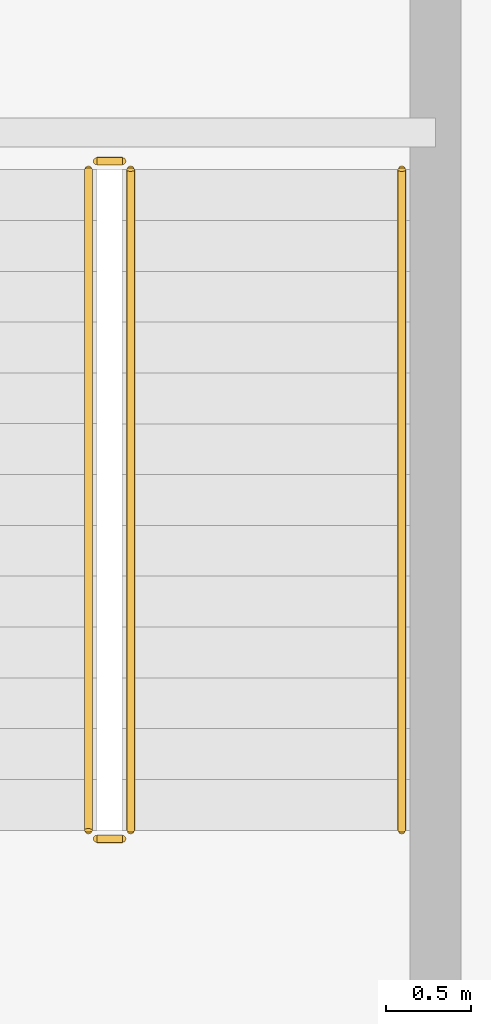
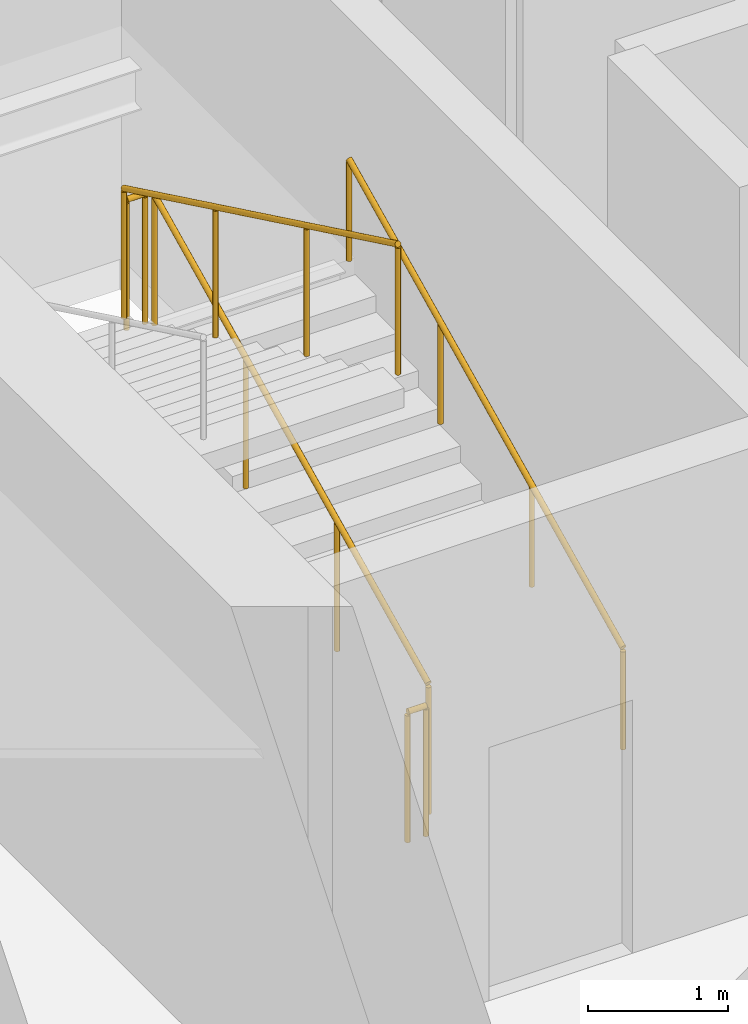
# One storey, part 18 of 27: 5 railings.
"""IFC4 building model written with IfcOpenShell, lengths in metres."""

from ifc_helpers import new_model, si_unit, direction, frame, origin, origin_2d, place, context, subcontext, project, spatial, circle, extrude, material, type_object, element, save


model = new_model("IFC4")

# Units and contexts
model_context = context("Model", 3, precision=1e-05, world=origin(), true_north=direction((0.0, 1.0)))
body_context = subcontext(model_context, "Body", "Model", "MODEL_VIEW")
ifc_project = project(units=[si_unit("LENGTHUNIT", "METRE"), si_unit("AREAUNIT", "SQUARE_METRE"), si_unit("VOLUMEUNIT", "CUBIC_METRE"), si_unit("PLANEANGLEUNIT", "RADIAN"), si_unit("MASSUNIT", "GRAM", prefix="KILO")], contexts=[model_context])

# Site, building, storey
site_placement = place(None, origin())
site = spatial("IfcSite", under=ifc_project, at=site_placement, CompositionType="ELEMENT")
building_placement = place(site_placement, origin())
building = spatial("IfcBuilding", under=site, at=building_placement, Name="Punatoya Terracotta Tower", CompositionType="ELEMENT")
storey_placement = place(building_placement, frame((0.0, 0.0, 60.60009765625)))
storey = spatial("IfcBuildingStorey", under=building, at=storey_placement, Name="L13", CompositionType="ELEMENT", Elevation=60.60009765625)

# Railings
ifc_material = material(Name="Steel S355", Category="steel")
railing_type_1 = type_object("IfcRailingType", Name="RLG-GRD-1150", PredefinedType="GUARDRAIL", material=ifc_material)
railing_1_placement = place(storey_placement, frame((-7.85009765625, -3.800048828125, 0.14453125)))
element("IfcRailing", 1, at=railing_1_placement, inside=storey, type_object=railing_type_1, Name="L13 ST-1 stair guard 1", PredefinedType="GUARDRAIL", context=body_context, shape_type="SweptSolid", body=[
    extrude(circle(Radius=0.02392578125, at=origin_2d()), frame((0.0, 0.0, 1.1259765625), z_axis=(0.0, 0.900773802044, 0.434288564841), x_axis=(-1.0, 0.0, 0.0)), (0.0, 0.0, 1.0), 4.329833984375),
    extrude(circle(Radius=0.02099609375, at=origin_2d()), origin(), (0.0, 0.0, 1.0), 1.101806640625),
    extrude(circle(Radius=0.02099609375, at=origin_2d()), frame((0.0, 1.300048828125, 0.626708984375)), (0.0, 0.0, 1.0), 1.101806640625),
    extrude(circle(Radius=0.02099609375, at=origin_2d()), frame((0.0, 2.60009765625, 1.253662109375)), (0.0, 0.0, 1.0), 1.101806640625),
    extrude(circle(Radius=0.02099609375, at=origin_2d()), frame((0.0, 3.900146484375, 1.88037109375)), (0.0, 0.0, 1.0), 1.101806640625),
])
railing_2_placement = place(storey_placement, frame((-7.89990234375, 0.14990234375, 2.02490234375)))
element("IfcRailing", 2, at=railing_2_placement, inside=storey, type_object=railing_type_1, Name="L13 ST-1 stair guard 2", PredefinedType="GUARDRAIL", context=body_context, shape_type="SweptSolid", body=[
    extrude(circle(Radius=0.02392578125, at=origin_2d()), frame((0.0, 0.0, 1.1259765625), z_axis=(-1.0, 0.0, 0.0), x_axis=(0.0, -1.0, 0.0)), (0.0, 0.0, 1.0), 0.150146484375),
    extrude(circle(Radius=0.02099609375, at=origin_2d()), origin(), (0.0, 0.0, 1.0), 1.101806640625),
    extrude(circle(Radius=0.02099609375, at=origin_2d()), frame((-0.150146484375, 0.0, 0.0)), (0.0, 0.0, 1.0), 1.101806640625),
])
railing_3_placement = place(storey_placement, frame((-8.10009765625, 0.10009765625, 2.16943359375)))
element("IfcRailing", 3, at=railing_3_placement, inside=storey, type_object=railing_type_1, Name="L13 ST-1 stair guard 3", PredefinedType="GUARDRAIL", context=body_context, shape_type="SweptSolid", body=[
    extrude(circle(Radius=0.02392578125, at=origin_2d()), frame((0.0, 0.0, 1.1259765625), z_axis=(0.0, -0.900773802044, 0.434288564841), x_axis=(1.0, 0.0, 0.0)), (0.0, 0.0, 1.0), 4.329833984375),
    extrude(circle(Radius=0.02099609375, at=origin_2d()), origin(), (0.0, 0.0, 1.0), 1.101806640625),
    extrude(circle(Radius=0.02099609375, at=origin_2d()), frame((0.0, -1.300048828125, 0.626708984375)), (0.0, 0.0, 1.0), 1.101806640625),
    extrude(circle(Radius=0.02099609375, at=origin_2d()), frame((0.0, -2.60009765625, 1.253662109375)), (0.0, 0.0, 1.0), 1.101806640625),
    extrude(circle(Radius=0.02099609375, at=origin_2d()), frame((0.0, -3.900146484375, 1.88037109375)), (0.0, 0.0, 1.0), 1.101806640625),
])
railing_4_placement = place(storey_placement, frame((-7.89990234375, -3.85009765625, 0.0)))
element("IfcRailing", 4, at=railing_4_placement, inside=storey, type_object=railing_type_1, Name="L13 ST-1 stair guard 4", PredefinedType="GUARDRAIL", context=body_context, shape_type="SweptSolid", body=[
    extrude(circle(Radius=0.02392578125, at=origin_2d()), frame((0.0, 0.0, 1.1259765625), z_axis=(-1.0, 0.0, 0.0), x_axis=(0.0, -1.0, 0.0)), (0.0, 0.0, 1.0), 0.150146484375),
    extrude(circle(Radius=0.02099609375, at=origin_2d()), origin(), (0.0, 0.0, 1.0), 1.101806640625),
    extrude(circle(Radius=0.02099609375, at=origin_2d()), frame((-0.150146484375, 0.0, 0.0)), (0.0, 0.0, 1.0), 1.101806640625),
])
railing_type_2 = type_object("IfcRailingType", Name="RLG-HND-900", PredefinedType="HANDRAIL", material=ifc_material)
railing_5_placement = place(storey_placement, frame((-6.25, -3.800048828125, 0.14453125)))
element("IfcRailing", 5, at=railing_5_placement, inside=storey, type_object=railing_type_2, Name="L13 ST-1 stair handrail 1", PredefinedType="HANDRAIL", context=body_context, shape_type="SweptSolid", body=[
    extrude(circle(Radius=0.02392578125, at=origin_2d()), frame((0.0, 0.0, 0.8759765625), z_axis=(0.0, 0.900773802044, 0.434288564841), x_axis=(-1.0, 0.0, 0.0)), (0.0, 0.0, 1.0), 4.329833984375),
    extrude(circle(Radius=0.02099609375, at=origin_2d()), origin(), (0.0, 0.0, 1.0), 0.851806640625),
    extrude(circle(Radius=0.02099609375, at=origin_2d()), frame((0.0, 1.300048828125, 0.626708984375)), (0.0, 0.0, 1.0), 0.851806640625),
    extrude(circle(Radius=0.02099609375, at=origin_2d()), frame((0.0, 2.60009765625, 1.253662109375)), (0.0, 0.0, 1.0), 0.851806640625),
    extrude(circle(Radius=0.02099609375, at=origin_2d()), frame((0.0, 3.900146484375, 1.88037109375)), (0.0, 0.0, 1.0), 0.851806640625),
])

save(model, "model.ifc")
